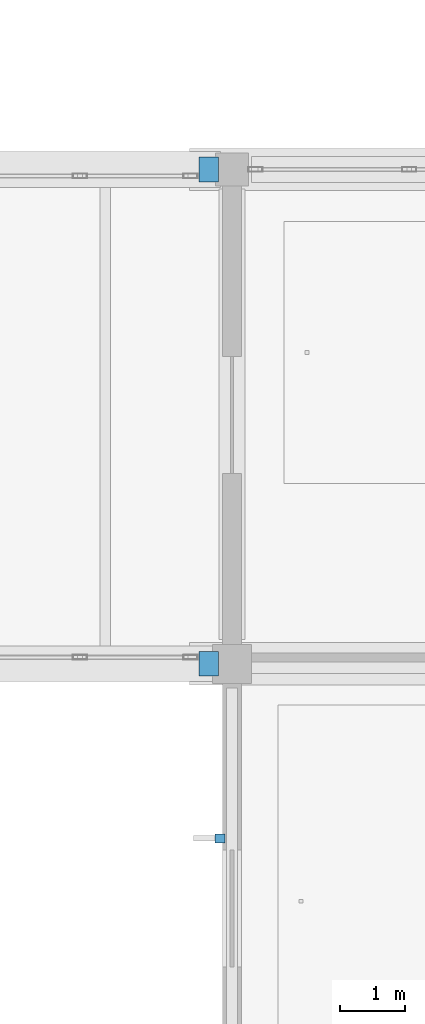
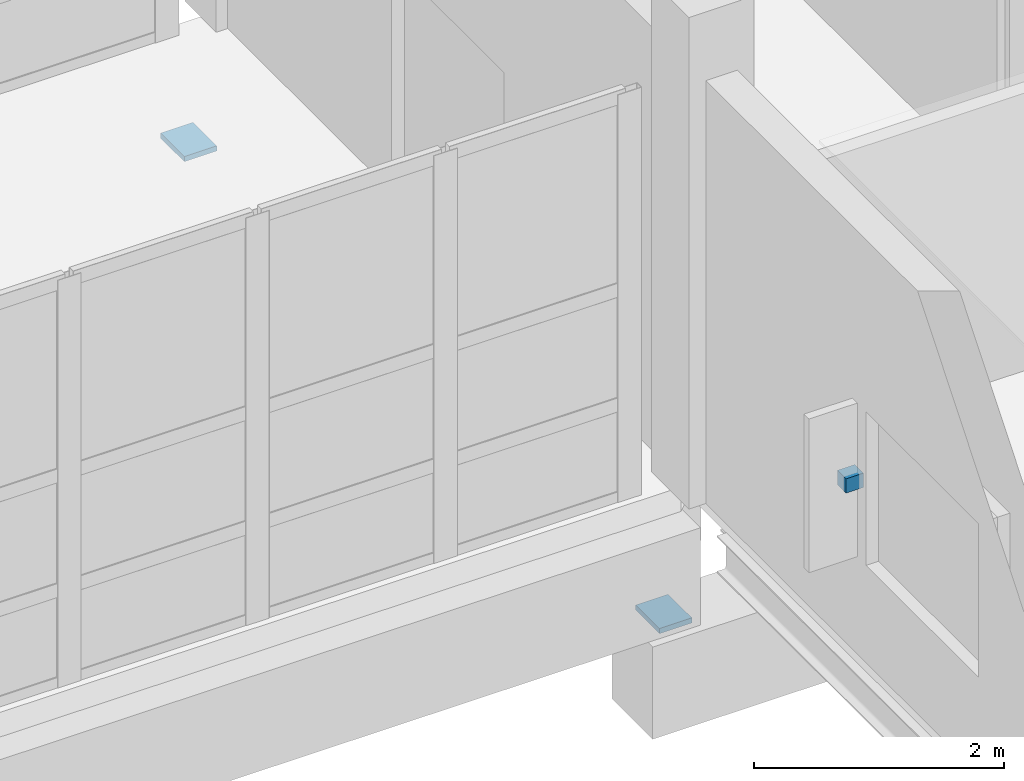
# One storey, part 122 of 141: 3 discrete accessories.
"""IFC4 building model written with IfcOpenShell, lengths in metres."""

from ifc_helpers import new_model, si_unit, direction, frame, origin, origin_2d, place, context, subcontext, project, spatial, rectangle, extrude, material, type_object, element, save


model = new_model("IFC4")

# Units and contexts
model_context = context("Model", 3, precision=1e-05, world=origin(), true_north=direction((0.0, 1.0)))
body_context = subcontext(model_context, "Body", "Model", "MODEL_VIEW")
ifc_project = project(units=[si_unit("LENGTHUNIT", "METRE"), si_unit("AREAUNIT", "SQUARE_METRE"), si_unit("VOLUMEUNIT", "CUBIC_METRE"), si_unit("PLANEANGLEUNIT", "RADIAN"), si_unit("MASSUNIT", "GRAM", prefix="KILO")], contexts=[model_context])

# Site, building, storey
site_placement = place(None, origin())
site = spatial("IfcSite", under=ifc_project, at=site_placement, CompositionType="ELEMENT")
building_placement = place(site_placement, origin())
building = spatial("IfcBuilding", under=site, at=building_placement, Name="Khelvaren Railside Concert Hall", CompositionType="ELEMENT")
storey_placement = place(building_placement, frame((0.0, 0.0, 10.199951171875)))
storey = spatial("IfcBuildingStorey", under=building, at=storey_placement, Name="L02", CompositionType="ELEMENT", Elevation=10.199951171875)

# Discrete accessories
ifc_material_1 = material(Name="Architectural stainless steel Grade 316", Category="steel")
discrete_accessory_type_1 = type_object("IfcDiscreteAccessoryType", Name="BRK87", PredefinedType="BRACKET", material=ifc_material_1)
discrete_accessory_placement = place(storey_placement, frame((63.81494140625, 4.91748046875, 1.6298828125), z_axis=(0.0, 0.0, 1.0), x_axis=(0.0, 1.0, 0.0)))
element("IfcDiscreteAccessory", 1, at=discrete_accessory_placement, inside=storey, type_object=discrete_accessory_type_1, Name="Solar Fin Bracket EW-V3-L02-W-0", PredefinedType="BRACKET", context=body_context, shape_type="SweptSolid", body=[
    extrude(rectangle(XDim=0.139892578125, YDim=0.159912109375, at=origin_2d()), origin(), (0.0, 0.0, 1.0), 0.139892578125),
])
ifc_material_2 = material(Name="Elastomeric PTFE sliding bearing assembly", Category="steel")
discrete_accessory_type_2 = type_object("IfcDiscreteAccessoryType", Name="SB94", PredefinedType="USERDEFINED", material=ifc_material_2)
for number, where, z_axis, x_axis, name in (
    (2, (63.639892578125, 7.60009765625, -1.2099609375), (0.0, 0.0, 1.0), (1.0, 0.0, 0.0), "West Promenade Link Bridge L02 Unguided PTFE Sliding Bearing 1"),
    (3, (63.639892578125, 15.199951171875, -1.2099609375), (0.0, 0.0, 1.0), (1.0, 0.0, 0.0), "West Promenade Link Bridge L02 Unguided PTFE Sliding Bearing 2"),
):
    element("IfcDiscreteAccessory", number, at=place(storey_placement, frame(where, z_axis=z_axis, x_axis=x_axis)), inside=storey, type_object=discrete_accessory_type_2, Name=name, ObjectType="SLIDING BEARING", PredefinedType="USERDEFINED", context=body_context, shape_type="SweptSolid", body=[
        extrude(rectangle(XDim=0.300048828125, YDim=0.3798828125, at=origin_2d()), origin(), (0.0, 0.0, 1.0), 0.050048828125),
    ])

save(model, "model.ifc")
